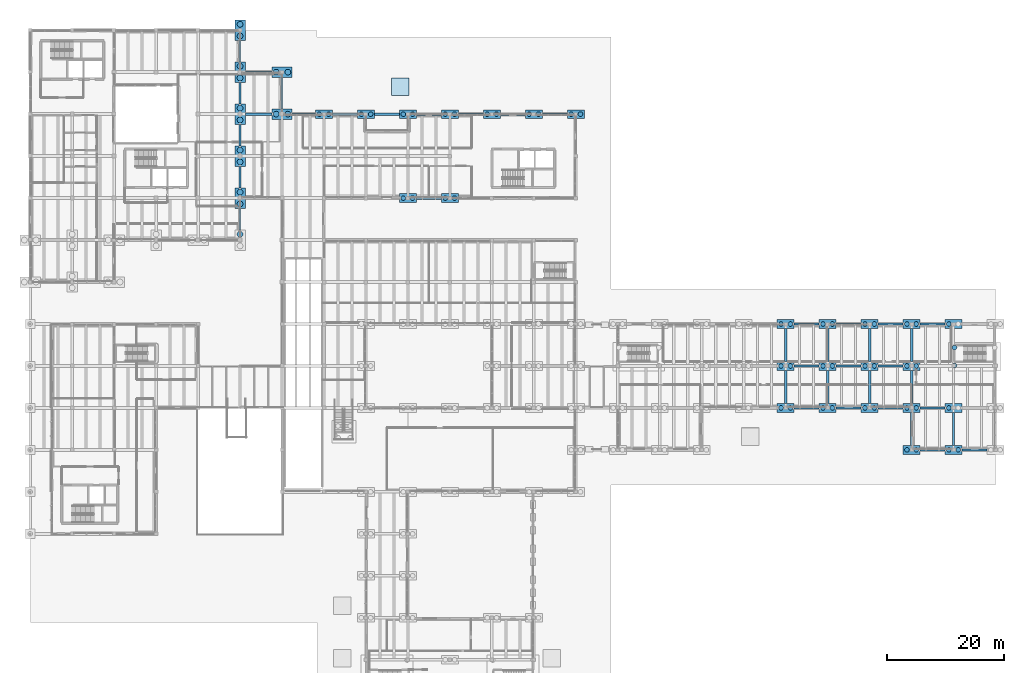
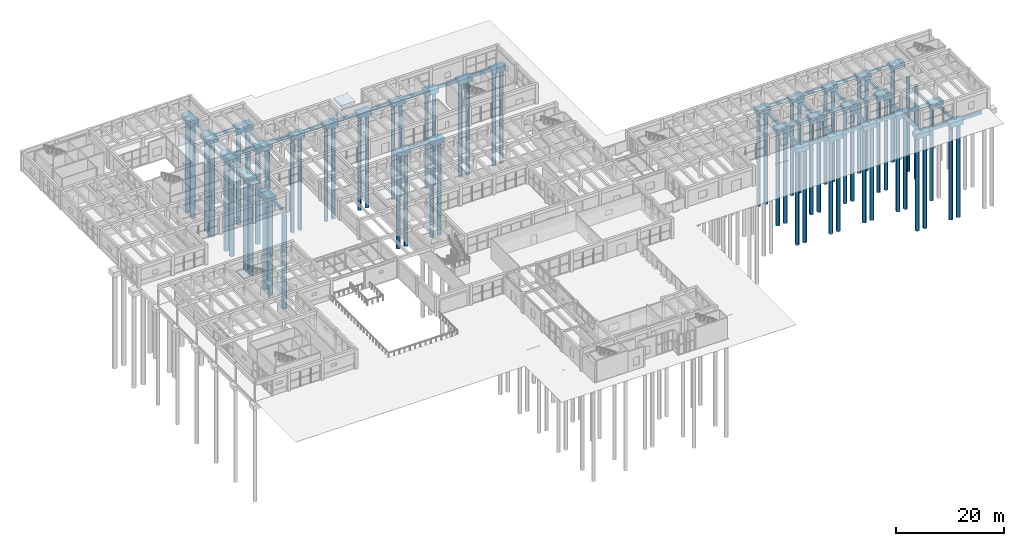
# One storey, part 3 of 155: 72 footings, 65 piles.
"""IFC4 building model written with IfcOpenShell, lengths in metres."""

from ifc_helpers import new_model, si_unit, direction, frame, origin, origin_2d, place, context, subcontext, project, spatial, rectangle, circle, extrude, material, material_profile, profile_set, type_object, element, save


model = new_model("IFC4")

# Units and contexts
model_context = context("Model", 3, precision=1e-05, world=origin(), true_north=direction((0.0, 1.0)))
body_context = subcontext(model_context, "Body", "Model", "MODEL_VIEW")
ifc_project = project(units=[si_unit("LENGTHUNIT", "METRE"), si_unit("AREAUNIT", "SQUARE_METRE"), si_unit("VOLUMEUNIT", "CUBIC_METRE"), si_unit("PLANEANGLEUNIT", "RADIAN"), si_unit("MASSUNIT", "GRAM", prefix="KILO")], contexts=[model_context])

# Site, building, storey
site_placement = place(None, origin())
site = spatial("IfcSite", under=ifc_project, at=site_placement, CompositionType="ELEMENT")
building_placement = place(site_placement, origin())
building = spatial("IfcBuilding", under=site, at=building_placement, Name="Bramvelor Terrace Health Centre", CompositionType="ELEMENT")
storey_placement = place(building_placement, origin())
storey = spatial("IfcBuildingStorey", under=building, at=storey_placement, Name="L01", CompositionType="ELEMENT", Elevation=0.0)

# Footings
ifc_material_1 = material(Name="Concrete C40/50", Category="concrete")
ifc_material_profile_1 = material_profile(ifc_material_1, rectangle(XDim=0.39990234375, YDim=0.699951171875, at=origin_2d()), Name="RC 400x700")
ifc_profile_set_1 = profile_set([ifc_material_profile_1], Name="Concrete C40/50")
footing_type_1 = type_object("IfcFootingType", Name="FTG-FB-400x700", PredefinedType="FOOTING_BEAM", material=ifc_profile_set_1)
footing_1_placement = place(storey_placement, frame((36.0, 80.949951171875, -0.60009765625), z_axis=(0.0, 1.0, 0.0), x_axis=(-1.0, 0.0, 0.0)))
element("IfcFooting", 1, at=footing_1_placement, inside=storey, type_object=footing_type_1, Name="L01 Ground Tie Beam Y (36.0, 79.2)", PredefinedType="FOOTING_BEAM", context=body_context, shape_type="SweptSolid", body=[
    extrude(rectangle(XDim=0.39990234375, YDim=0.699951171875, at=origin_2d()), origin(), (0.0, 0.0, 1.0), 3.699951171875),
])
footing_2_placement = place(storey_placement, frame((36.0, 88.14990234375, -0.60009765625), z_axis=(0.0, 1.0, 0.0), x_axis=(-1.0, 0.0, 0.0)))
element("IfcFooting", 2, at=footing_2_placement, inside=storey, type_object=footing_type_1, Name="L01 Ground Tie Beam Y (36.0, 86.4)", PredefinedType="FOOTING_BEAM", context=body_context, shape_type="SweptSolid", body=[
    extrude(rectangle(XDim=0.39990234375, YDim=0.699951171875, at=origin_2d()), origin(), (0.0, 0.0, 1.0), 3.7001953125),
])
footing_3_placement = place(storey_placement, frame((36.0, 95.35009765625, -0.60009765625), z_axis=(0.0, 1.0, 0.0), x_axis=(-1.0, 0.0, 0.0)))
element("IfcFooting", 3, at=footing_3_placement, inside=storey, type_object=footing_type_1, Name="L01 Ground Tie Beam Y (36.0, 93.6)", PredefinedType="FOOTING_BEAM", context=body_context, shape_type="SweptSolid", body=[
    extrude(rectangle(XDim=0.39990234375, YDim=0.699951171875, at=origin_2d()), origin(), (0.0, 0.0, 1.0), 3.699951171875),
])
footing_4_placement = place(storey_placement, frame((36.89990234375, 100.800048828125, -0.60009765625), z_axis=(1.0, 0.0, 0.0), x_axis=(0.0, 1.0, 0.0)))
element("IfcFooting", 4, at=footing_4_placement, inside=storey, type_object=footing_type_1, Name="L01 Ground Tie Beam X (36.0, 100.8)", PredefinedType="FOOTING_BEAM", context=body_context, shape_type="SweptSolid", body=[
    extrude(rectangle(XDim=0.39990234375, YDim=0.699951171875, at=origin_2d()), origin(), (0.0, 0.0, 1.0), 4.550048828125),
])
footing_5_placement = place(storey_placement, frame((36.0, 102.550048828125, -0.60009765625), z_axis=(0.0, 1.0, 0.0), x_axis=(-1.0, 0.0, 0.0)))
element("IfcFooting", 5, at=footing_5_placement, inside=storey, type_object=footing_type_1, Name="L01 Ground Tie Beam Y (36.0, 100.8)", PredefinedType="FOOTING_BEAM", context=body_context, shape_type="SweptSolid", body=[
    extrude(rectangle(XDim=0.39990234375, YDim=0.699951171875, at=origin_2d()), origin(), (0.0, 0.0, 1.0), 3.699951171875),
])
footing_6_placement = place(storey_placement, frame((36.89990234375, 108.0, -0.60009765625), z_axis=(1.0, 0.0, 0.0), x_axis=(0.0, 1.0, 0.0)))
element("IfcFooting", 6, at=footing_6_placement, inside=storey, type_object=footing_type_1, Name="L01 Ground Tie Beam X (36.0, 108.0)", PredefinedType="FOOTING_BEAM", context=body_context, shape_type="SweptSolid", body=[
    extrude(rectangle(XDim=0.39990234375, YDim=0.699951171875, at=origin_2d()), origin(), (0.0, 0.0, 1.0), 4.550048828125),
])
footing_7_placement = place(storey_placement, frame((36.0, 109.75, -0.60009765625), z_axis=(0.0, 1.0, 0.0), x_axis=(-1.0, 0.0, 0.0)))
element("IfcFooting", 7, at=footing_7_placement, inside=storey, type_object=footing_type_1, Name="L01 Ground Tie Beam Y (36.0, 108.0)", PredefinedType="FOOTING_BEAM", context=body_context, shape_type="SweptSolid", body=[
    extrude(rectangle(XDim=0.39990234375, YDim=0.699951171875, at=origin_2d()), origin(), (0.0, 0.0, 1.0), 3.699951171875),
])
footing_8_placement = place(storey_placement, frame((44.949951171875, 100.800048828125, -0.60009765625), z_axis=(1.0, 0.0, 0.0), x_axis=(0.0, 1.0, 0.0)))
element("IfcFooting", 8, at=footing_8_placement, inside=storey, type_object=footing_type_1, Name="L01 Ground Tie Beam X (43.2, 100.8)", PredefinedType="FOOTING_BEAM", context=body_context, shape_type="SweptSolid", body=[
    extrude(rectangle(XDim=0.39990234375, YDim=0.699951171875, at=origin_2d()), origin(), (0.0, 0.0, 1.0), 4.0),
])
footing_9_placement = place(storey_placement, frame((43.199951171875, 101.699951171875, -0.60009765625), z_axis=(0.0, 1.0, 0.0), x_axis=(-1.0, 0.0, 0.0)))
element("IfcFooting", 9, at=footing_9_placement, inside=storey, type_object=footing_type_1, Name="L01 Ground Tie Beam Y (43.2, 100.8)", PredefinedType="FOOTING_BEAM", context=body_context, shape_type="SweptSolid", body=[
    extrude(rectangle(XDim=0.39990234375, YDim=0.699951171875, at=origin_2d()), origin(), (0.0, 0.0, 1.0), 5.400146484375),
])
footing_10_placement = place(storey_placement, frame((51.85009765625, 100.800048828125, -0.60009765625), z_axis=(1.0, 0.0, 0.0), x_axis=(0.0, 1.0, 0.0)))
element("IfcFooting", 10, at=footing_10_placement, inside=storey, type_object=footing_type_1, Name="L01 Ground Tie Beam X (50.4, 100.8)", PredefinedType="FOOTING_BEAM", context=body_context, shape_type="SweptSolid", body=[
    extrude(rectangle(XDim=0.39990234375, YDim=0.699951171875, at=origin_2d()), origin(), (0.0, 0.0, 1.0), 4.2998046875),
])
for number, where, z_axis, x_axis, name in (
    (11, (59.050048828125, 100.800048828125, -0.60009765625), (1.0, 0.0, 0.0), (0.0, 1.0, 0.0), "L01 Ground Tie Beam X (57.6, 100.8)"),
    (12, (66.25, 86.39990234375, -0.60009765625), (1.0, 0.0, 0.0), (0.0, 1.0, 0.0), "L01 Ground Tie Beam X (64.8, 86.4)"),
    (13, (66.25, 100.800048828125, -0.60009765625), (1.0, 0.0, 0.0), (0.0, 1.0, 0.0), "L01 Ground Tie Beam X (64.8, 100.8)"),
    (14, (73.449951171875, 100.800048828125, -0.60009765625), (1.0, 0.0, 0.0), (0.0, 1.0, 0.0), "L01 Ground Tie Beam X (72.0, 100.8)"),
    (15, (80.64990234375, 100.800048828125, -0.60009765625), (1.0, 0.0, 0.0), (0.0, 1.0, 0.0), "L01 Ground Tie Beam X (79.2, 100.8)"),
):
    element("IfcFooting", number, at=place(storey_placement, frame(where, z_axis=z_axis, x_axis=x_axis)), inside=storey, type_object=footing_type_1, Name=name, PredefinedType="FOOTING_BEAM", context=body_context, shape_type="SweptSolid", body=[
        extrude(rectangle(XDim=0.39990234375, YDim=0.699951171875, at=origin_2d()), origin(), (0.0, 0.0, 1.0), 4.300048828125),
    ])
footing_11_placement = place(storey_placement, frame((87.85009765625, 100.800048828125, -0.60009765625), z_axis=(1.0, 0.0, 0.0), x_axis=(0.0, 1.0, 0.0)))
element("IfcFooting", 16, at=footing_11_placement, inside=storey, type_object=footing_type_1, Name="L01 Ground Tie Beam X (86.4, 100.8)", PredefinedType="FOOTING_BEAM", context=body_context, shape_type="SweptSolid", body=[
    extrude(rectangle(XDim=0.39990234375, YDim=0.699951171875, at=origin_2d()), origin(), (0.0, 0.0, 1.0), 4.2998046875),
])
footing_12_placement = place(storey_placement, frame((131.050048828125, 50.39990234375, -0.60009765625), z_axis=(1.0, 0.0, 0.0), x_axis=(0.0, 1.0, 0.0)))
element("IfcFooting", 17, at=footing_12_placement, inside=storey, type_object=footing_type_1, Name="L01 Ground Tie Beam X (129.6, 50.4)", PredefinedType="FOOTING_BEAM", context=body_context, shape_type="SweptSolid", body=[
    extrude(rectangle(XDim=0.39990234375, YDim=0.699951171875, at=origin_2d()), origin(), (0.0, 0.0, 1.0), 4.300048828125),
])
footing_13_placement = place(storey_placement, frame((129.60009765625, 51.14990234375, -0.60009765625), z_axis=(0.0, 1.0, 0.0), x_axis=(-1.0, 0.0, 0.0)))
element("IfcFooting", 18, at=footing_13_placement, inside=storey, type_object=footing_type_1, Name="L01 Ground Tie Beam Y (129.6, 50.4)", PredefinedType="FOOTING_BEAM", context=body_context, shape_type="SweptSolid", body=[
    extrude(rectangle(XDim=0.39990234375, YDim=0.699951171875, at=origin_2d()), origin(), (0.0, 0.0, 1.0), 5.7001953125),
])
footing_14_placement = place(storey_placement, frame((131.050048828125, 57.60009765625, -0.60009765625), z_axis=(1.0, 0.0, 0.0), x_axis=(0.0, 1.0, 0.0)))
element("IfcFooting", 19, at=footing_14_placement, inside=storey, type_object=footing_type_1, Name="L01 Ground Tie Beam X (129.6, 57.6)", PredefinedType="FOOTING_BEAM", context=body_context, shape_type="SweptSolid", body=[
    extrude(rectangle(XDim=0.39990234375, YDim=0.699951171875, at=origin_2d()), origin(), (0.0, 0.0, 1.0), 4.300048828125),
])
footing_15_placement = place(storey_placement, frame((129.60009765625, 58.35009765625, -0.60009765625), z_axis=(0.0, 1.0, 0.0), x_axis=(-1.0, 0.0, 0.0)))
element("IfcFooting", 20, at=footing_15_placement, inside=storey, type_object=footing_type_1, Name="L01 Ground Tie Beam Y (129.6, 57.6)", PredefinedType="FOOTING_BEAM", context=body_context, shape_type="SweptSolid", body=[
    extrude(rectangle(XDim=0.39990234375, YDim=0.699951171875, at=origin_2d()), origin(), (0.0, 0.0, 1.0), 5.699951171875),
])
for number, where, z_axis, x_axis, name in (
    (21, (131.050048828125, 64.800048828125, -0.60009765625), (1.0, 0.0, 0.0), (0.0, 1.0, 0.0), "L01 Ground Tie Beam X (129.6, 64.8)"),
    (22, (138.25, 50.39990234375, -0.60009765625), (1.0, 0.0, 0.0), (0.0, 1.0, 0.0), "L01 Ground Tie Beam X (136.8, 50.4)"),
):
    element("IfcFooting", number, at=place(storey_placement, frame(where, z_axis=z_axis, x_axis=x_axis)), inside=storey, type_object=footing_type_1, Name=name, PredefinedType="FOOTING_BEAM", context=body_context, shape_type="SweptSolid", body=[
        extrude(rectangle(XDim=0.39990234375, YDim=0.699951171875, at=origin_2d()), origin(), (0.0, 0.0, 1.0), 4.300048828125),
    ])
footing_16_placement = place(storey_placement, frame((136.800048828125, 51.14990234375, -0.60009765625), z_axis=(0.0, 1.0, 0.0), x_axis=(-1.0, 0.0, 0.0)))
element("IfcFooting", 23, at=footing_16_placement, inside=storey, type_object=footing_type_1, Name="L01 Ground Tie Beam Y (136.8, 50.4)", PredefinedType="FOOTING_BEAM", context=body_context, shape_type="SweptSolid", body=[
    extrude(rectangle(XDim=0.39990234375, YDim=0.699951171875, at=origin_2d()), origin(), (0.0, 0.0, 1.0), 5.7001953125),
])
footing_17_placement = place(storey_placement, frame((138.25, 57.60009765625, -0.60009765625), z_axis=(1.0, 0.0, 0.0), x_axis=(0.0, 1.0, 0.0)))
element("IfcFooting", 24, at=footing_17_placement, inside=storey, type_object=footing_type_1, Name="L01 Ground Tie Beam X (136.8, 57.6)", PredefinedType="FOOTING_BEAM", context=body_context, shape_type="SweptSolid", body=[
    extrude(rectangle(XDim=0.39990234375, YDim=0.699951171875, at=origin_2d()), origin(), (0.0, 0.0, 1.0), 4.300048828125),
])
footing_18_placement = place(storey_placement, frame((136.800048828125, 58.35009765625, -0.60009765625), z_axis=(0.0, 1.0, 0.0), x_axis=(-1.0, 0.0, 0.0)))
element("IfcFooting", 25, at=footing_18_placement, inside=storey, type_object=footing_type_1, Name="L01 Ground Tie Beam Y (136.8, 57.6)", PredefinedType="FOOTING_BEAM", context=body_context, shape_type="SweptSolid", body=[
    extrude(rectangle(XDim=0.39990234375, YDim=0.699951171875, at=origin_2d()), origin(), (0.0, 0.0, 1.0), 5.699951171875),
])
for number, where, z_axis, x_axis, name in (
    (26, (138.25, 64.800048828125, -0.60009765625), (1.0, 0.0, 0.0), (0.0, 1.0, 0.0), "L01 Ground Tie Beam X (136.8, 64.8)"),
    (27, (145.449951171875, 50.39990234375, -0.60009765625), (1.0, 0.0, 0.0), (0.0, 1.0, 0.0), "L01 Ground Tie Beam X (144.0, 50.4)"),
):
    element("IfcFooting", number, at=place(storey_placement, frame(where, z_axis=z_axis, x_axis=x_axis)), inside=storey, type_object=footing_type_1, Name=name, PredefinedType="FOOTING_BEAM", context=body_context, shape_type="SweptSolid", body=[
        extrude(rectangle(XDim=0.39990234375, YDim=0.699951171875, at=origin_2d()), origin(), (0.0, 0.0, 1.0), 4.300048828125),
    ])
footing_19_placement = place(storey_placement, frame((144.0, 51.14990234375, -0.60009765625), z_axis=(0.0, 1.0, 0.0), x_axis=(-1.0, 0.0, 0.0)))
element("IfcFooting", 28, at=footing_19_placement, inside=storey, type_object=footing_type_1, Name="L01 Ground Tie Beam Y (144.0, 50.4)", PredefinedType="FOOTING_BEAM", context=body_context, shape_type="SweptSolid", body=[
    extrude(rectangle(XDim=0.39990234375, YDim=0.699951171875, at=origin_2d()), origin(), (0.0, 0.0, 1.0), 5.7001953125),
])
footing_20_placement = place(storey_placement, frame((145.449951171875, 57.60009765625, -0.60009765625), z_axis=(1.0, 0.0, 0.0), x_axis=(0.0, 1.0, 0.0)))
element("IfcFooting", 29, at=footing_20_placement, inside=storey, type_object=footing_type_1, Name="L01 Ground Tie Beam X (144.0, 57.6)", PredefinedType="FOOTING_BEAM", context=body_context, shape_type="SweptSolid", body=[
    extrude(rectangle(XDim=0.39990234375, YDim=0.699951171875, at=origin_2d()), origin(), (0.0, 0.0, 1.0), 4.300048828125),
])
footing_21_placement = place(storey_placement, frame((144.0, 58.35009765625, -0.60009765625), z_axis=(0.0, 1.0, 0.0), x_axis=(-1.0, 0.0, 0.0)))
element("IfcFooting", 30, at=footing_21_placement, inside=storey, type_object=footing_type_1, Name="L01 Ground Tie Beam Y (144.0, 57.6)", PredefinedType="FOOTING_BEAM", context=body_context, shape_type="SweptSolid", body=[
    extrude(rectangle(XDim=0.39990234375, YDim=0.699951171875, at=origin_2d()), origin(), (0.0, 0.0, 1.0), 5.699951171875),
])
for number, where, z_axis, x_axis, name in (
    (31, (145.449951171875, 64.800048828125, -0.60009765625), (1.0, 0.0, 0.0), (0.0, 1.0, 0.0), "L01 Ground Tie Beam X (144.0, 64.8)"),
    (32, (152.64990234375, 43.199951171875, -0.60009765625), (1.0, 0.0, 0.0), (0.0, 1.0, 0.0), "L01 Ground Tie Beam X (151.2, 43.2)"),
):
    element("IfcFooting", number, at=place(storey_placement, frame(where, z_axis=z_axis, x_axis=x_axis)), inside=storey, type_object=footing_type_1, Name=name, PredefinedType="FOOTING_BEAM", context=body_context, shape_type="SweptSolid", body=[
        extrude(rectangle(XDim=0.39990234375, YDim=0.699951171875, at=origin_2d()), origin(), (0.0, 0.0, 1.0), 4.300048828125),
    ])
footing_22_placement = place(storey_placement, frame((151.199951171875, 43.949951171875, -0.60009765625), z_axis=(0.0, 1.0, 0.0), x_axis=(-1.0, 0.0, 0.0)))
element("IfcFooting", 33, at=footing_22_placement, inside=storey, type_object=footing_type_1, Name="L01 Ground Tie Beam Y (151.2, 43.2)", PredefinedType="FOOTING_BEAM", context=body_context, shape_type="SweptSolid", body=[
    extrude(rectangle(XDim=0.39990234375, YDim=0.699951171875, at=origin_2d()), origin(), (0.0, 0.0, 1.0), 5.699951171875),
])
footing_23_placement = place(storey_placement, frame((152.64990234375, 50.39990234375, -0.60009765625), z_axis=(1.0, 0.0, 0.0), x_axis=(0.0, 1.0, 0.0)))
element("IfcFooting", 34, at=footing_23_placement, inside=storey, type_object=footing_type_1, Name="L01 Ground Tie Beam X (151.2, 50.4)", PredefinedType="FOOTING_BEAM", context=body_context, shape_type="SweptSolid", body=[
    extrude(rectangle(XDim=0.39990234375, YDim=0.699951171875, at=origin_2d()), origin(), (0.0, 0.0, 1.0), 4.300048828125),
])
footing_24_placement = place(storey_placement, frame((151.199951171875, 51.14990234375, -0.60009765625), z_axis=(0.0, 1.0, 0.0), x_axis=(-1.0, 0.0, 0.0)))
element("IfcFooting", 35, at=footing_24_placement, inside=storey, type_object=footing_type_1, Name="L01 Ground Tie Beam Y (151.2, 50.4)", PredefinedType="FOOTING_BEAM", context=body_context, shape_type="SweptSolid", body=[
    extrude(rectangle(XDim=0.39990234375, YDim=0.699951171875, at=origin_2d()), origin(), (0.0, 0.0, 1.0), 5.7001953125),
])
footing_25_placement = place(storey_placement, frame((151.199951171875, 58.35009765625, -0.60009765625), z_axis=(0.0, 1.0, 0.0), x_axis=(-1.0, 0.0, 0.0)))
element("IfcFooting", 36, at=footing_25_placement, inside=storey, type_object=footing_type_1, Name="L01 Ground Tie Beam Y (151.2, 57.6)", PredefinedType="FOOTING_BEAM", context=body_context, shape_type="SweptSolid", body=[
    extrude(rectangle(XDim=0.39990234375, YDim=0.699951171875, at=origin_2d()), origin(), (0.0, 0.0, 1.0), 5.699951171875),
])
footing_26_placement = place(storey_placement, frame((152.64990234375, 64.800048828125, -0.60009765625), z_axis=(1.0, 0.0, 0.0), x_axis=(0.0, 1.0, 0.0)))
element("IfcFooting", 37, at=footing_26_placement, inside=storey, type_object=footing_type_1, Name="L01 Ground Tie Beam X (151.2, 64.8)", PredefinedType="FOOTING_BEAM", context=body_context, shape_type="SweptSolid", body=[
    extrude(rectangle(XDim=0.39990234375, YDim=0.699951171875, at=origin_2d()), origin(), (0.0, 0.0, 1.0), 4.300048828125),
])
footing_27_placement = place(storey_placement, frame((159.85009765625, 43.199951171875, -0.60009765625), z_axis=(1.0, 0.0, 0.0), x_axis=(0.0, 1.0, 0.0)))
element("IfcFooting", 38, at=footing_27_placement, inside=storey, type_object=footing_type_1, Name="L01 Ground Tie Beam X (158.4, 43.2)", PredefinedType="FOOTING_BEAM", context=body_context, shape_type="SweptSolid", body=[
    extrude(rectangle(XDim=0.39990234375, YDim=0.699951171875, at=origin_2d()), origin(), (0.0, 0.0, 1.0), 4.2998046875),
])
footing_28_placement = place(storey_placement, frame((158.39990234375, 43.949951171875, -0.60009765625), z_axis=(0.0, 1.0, 0.0), x_axis=(-1.0, 0.0, 0.0)))
element("IfcFooting", 39, at=footing_28_placement, inside=storey, type_object=footing_type_1, Name="L01 Ground Tie Beam Y (158.4, 43.2)", PredefinedType="FOOTING_BEAM", context=body_context, shape_type="SweptSolid", body=[
    extrude(rectangle(XDim=0.39990234375, YDim=0.699951171875, at=origin_2d()), origin(), (0.0, 0.0, 1.0), 5.699951171875),
])
ifc_material_2 = material(Name="Concrete C40/50", Category="concrete")
footing_type_2 = type_object("IfcFootingType", Name="FTG-PAD-RMP", PredefinedType="PAD_FOOTING", material=ifc_material_2)
footing_29_placement = place(storey_placement, frame((63.5, 105.5, -0.77490234375), z_axis=(0.0, 0.0, 1.0), x_axis=(1.0, 0.0, 0.0)))
element("IfcFooting", 40, at=footing_29_placement, inside=storey, type_object=footing_type_2, Name="Accessible Ramp PR5 Pad Foundation", PredefinedType="PAD_FOOTING", context=body_context, shape_type="SweptSolid", body=[
    extrude(rectangle(XDim=3.0, YDim=3.0, at=origin_2d()), origin(), (0.0, 0.0, 1.0), 0.550048828125),
])
ifc_material_3 = material(Name="Concrete C40/50", Category="concrete")
footing_type_3 = type_object("IfcFootingType", Name="FTG-PC-2PX-1000", PredefinedType="PILE_CAP", material=ifc_material_3)
for number, where, z_axis, x_axis, name in (
    (41, (43.199951171875, 100.800048828125, -1.4501953125), (0.0, 0.0, 1.0), (1.0, 0.0, 0.0), "L01 Pile Cap (43.2, 100.8)"),
    (42, (43.199951171875, 108.0, -1.4501953125), (0.0, 0.0, 1.0), (1.0, 0.0, 0.0), "L01 Pile Cap (43.2, 108.0)"),
):
    element("IfcFooting", number, at=place(storey_placement, frame(where, z_axis=z_axis, x_axis=x_axis)), inside=storey, type_object=footing_type_3, Name=name, PredefinedType="PILE_CAP", context=body_context, shape_type="SweptSolid", body=[
        extrude(rectangle(XDim=3.5, YDim=1.800048828125, at=origin_2d()), origin(), (0.0, 0.0, 1.0), 1.199951171875),
    ])
ifc_material_4 = material(Name="Concrete C40/50", Category="concrete")
footing_type_4 = type_object("IfcFootingType", Name="FTG-PC-2PX-800", PredefinedType="PILE_CAP", material=ifc_material_4)
for number, where, z_axis, x_axis, name in (
    (43, (50.39990234375, 100.800048828125, -1.35009765625), (0.0, 0.0, 1.0), (1.0, 0.0, 0.0), "L01 Pile Cap (50.4, 100.8)"),
    (44, (57.60009765625, 100.800048828125, -1.35009765625), (0.0, 0.0, 1.0), (1.0, 0.0, 0.0), "L01 Pile Cap (57.6, 100.8)"),
    (45, (64.800048828125, 86.39990234375, -1.35009765625), (0.0, 0.0, 1.0), (1.0, 0.0, 0.0), "L01 Pile Cap (64.8, 86.4)"),
    (46, (64.800048828125, 100.800048828125, -1.35009765625), (0.0, 0.0, 1.0), (1.0, 0.0, 0.0), "L01 Pile Cap (64.8, 100.8)"),
    (47, (72.0, 86.39990234375, -1.35009765625), (0.0, 0.0, 1.0), (1.0, 0.0, 0.0), "L01 Pile Cap (72.0, 86.4)"),
    (48, (72.0, 100.800048828125, -1.35009765625), (0.0, 0.0, 1.0), (1.0, 0.0, 0.0), "L01 Pile Cap (72.0, 100.8)"),
    (49, (79.199951171875, 100.800048828125, -1.35009765625), (0.0, 0.0, 1.0), (1.0, 0.0, 0.0), "L01 Pile Cap (79.2, 100.8)"),
    (50, (86.39990234375, 100.800048828125, -1.35009765625), (0.0, 0.0, 1.0), (1.0, 0.0, 0.0), "L01 Pile Cap (86.4, 100.8)"),
    (51, (93.60009765625, 100.800048828125, -1.35009765625), (0.0, 0.0, 1.0), (1.0, 0.0, 0.0), "L01 Pile Cap (93.6, 100.8)"),
    (52, (129.60009765625, 50.39990234375, -1.35009765625), (0.0, 0.0, 1.0), (1.0, 0.0, 0.0), "L01 Pile Cap (129.6, 50.4)"),
    (53, (129.60009765625, 57.60009765625, -1.35009765625), (0.0, 0.0, 1.0), (1.0, 0.0, 0.0), "L01 Pile Cap (129.6, 57.6)"),
    (54, (129.60009765625, 64.800048828125, -1.35009765625), (0.0, 0.0, 1.0), (1.0, 0.0, 0.0), "L01 Pile Cap (129.6, 64.8)"),
    (55, (136.800048828125, 50.39990234375, -1.35009765625), (0.0, 0.0, 1.0), (1.0, 0.0, 0.0), "L01 Pile Cap (136.8, 50.4)"),
    (56, (136.800048828125, 57.60009765625, -1.35009765625), (0.0, 0.0, 1.0), (1.0, 0.0, 0.0), "L01 Pile Cap (136.8, 57.6)"),
    (57, (136.800048828125, 64.800048828125, -1.35009765625), (0.0, 0.0, 1.0), (1.0, 0.0, 0.0), "L01 Pile Cap (136.8, 64.8)"),
    (58, (144.0, 50.39990234375, -1.35009765625), (0.0, 0.0, 1.0), (1.0, 0.0, 0.0), "L01 Pile Cap (144.0, 50.4)"),
    (59, (144.0, 57.60009765625, -1.35009765625), (0.0, 0.0, 1.0), (1.0, 0.0, 0.0), "L01 Pile Cap (144.0, 57.6)"),
    (60, (144.0, 64.800048828125, -1.35009765625), (0.0, 0.0, 1.0), (1.0, 0.0, 0.0), "L01 Pile Cap (144.0, 64.8)"),
    (61, (151.199951171875, 43.199951171875, -1.35009765625), (0.0, 0.0, 1.0), (1.0, 0.0, 0.0), "L01 Pile Cap (151.2, 43.2)"),
    (62, (151.199951171875, 50.39990234375, -1.35009765625), (0.0, 0.0, 1.0), (1.0, 0.0, 0.0), "L01 Pile Cap (151.2, 50.4)"),
    (63, (151.199951171875, 57.60009765625, -1.35009765625), (0.0, 0.0, 1.0), (1.0, 0.0, 0.0), "L01 Pile Cap (151.2, 57.6)"),
    (64, (151.199951171875, 64.800048828125, -1.35009765625), (0.0, 0.0, 1.0), (1.0, 0.0, 0.0), "L01 Pile Cap (151.2, 64.8)"),
    (65, (158.39990234375, 43.199951171875, -1.35009765625), (0.0, 0.0, 1.0), (1.0, 0.0, 0.0), "L01 Pile Cap (158.4, 43.2)"),
    (66, (158.39990234375, 50.39990234375, -1.35009765625), (0.0, 0.0, 1.0), (1.0, 0.0, 0.0), "L01 Pile Cap (158.4, 50.4)"),
    (67, (158.39990234375, 64.800048828125, -1.35009765625), (0.0, 0.0, 1.0), (1.0, 0.0, 0.0), "L01 Pile Cap (158.4, 64.8)"),
):
    element("IfcFooting", number, at=place(storey_placement, frame(where, z_axis=z_axis, x_axis=x_axis)), inside=storey, type_object=footing_type_4, Name=name, PredefinedType="PILE_CAP", context=body_context, shape_type="SweptSolid", body=[
        extrude(rectangle(XDim=2.89990234375, YDim=1.5, at=origin_2d()), origin(), (0.0, 0.0, 1.0), 1.10009765625),
    ])
ifc_material_5 = material(Name="Concrete C40/50", Category="concrete")
footing_type_5 = type_object("IfcFootingType", Name="FTG-PC-2PY-1000", PredefinedType="PILE_CAP", material=ifc_material_5)
for number, where, z_axis, x_axis, name in (
    (68, (36.0, 86.39990234375, -1.4501953125), (0.0, 0.0, 1.0), (1.0, 0.0, 0.0), "L01 Pile Cap (36.0, 86.4)"),
    (69, (36.0, 93.60009765625, -1.4501953125), (0.0, 0.0, 1.0), (1.0, 0.0, 0.0), "L01 Pile Cap (36.0, 93.6)"),
    (70, (36.0, 100.800048828125, -1.4501953125), (0.0, 0.0, 1.0), (1.0, 0.0, 0.0), "L01 Pile Cap (36.0, 100.8)"),
    (71, (36.0, 108.0, -1.4501953125), (0.0, 0.0, 1.0), (1.0, 0.0, 0.0), "L01 Pile Cap (36.0, 108.0)"),
    (72, (36.0, 115.199951171875, -1.4501953125), (0.0, 0.0, 1.0), (1.0, 0.0, 0.0), "L01 Pile Cap (36.0, 115.2)"),
):
    element("IfcFooting", number, at=place(storey_placement, frame(where, z_axis=z_axis, x_axis=x_axis)), inside=storey, type_object=footing_type_5, Name=name, PredefinedType="PILE_CAP", context=body_context, shape_type="SweptSolid", body=[
        extrude(rectangle(XDim=1.800048828125, YDim=3.5, at=origin_2d()), origin(), (0.0, 0.0, 1.0), 1.199951171875),
    ])

# Piles
ifc_material_6 = material(Name="Concrete C40/50", Category="concrete")
ifc_material_profile_2 = material_profile(ifc_material_6, circle(Radius=0.5, at=origin_2d()), Name="BP D1000")
ifc_profile_set_2 = profile_set([ifc_material_profile_2], Name="Concrete C40/50")
pile_type_1 = type_object("IfcPileType", Name="PILE-BP-1000", PredefinedType="BORED", material=ifc_profile_set_2)
for number, where, z_axis, x_axis, name in (
    (73, (36.0, 80.199951171875, -1.330078125), (0.0, 0.0, -1.0), (1.0, 0.0, 0.0), "L01 Bored Pile (36.0, 80.2)"),
    (74, (36.0, 85.39990234375, -1.330078125), (0.0, 0.0, -1.0), (1.0, 0.0, 0.0), "L01 Bored Pile (36.0, 85.4)"),
    (75, (36.0, 87.39990234375, -1.330078125), (0.0, 0.0, -1.0), (1.0, 0.0, 0.0), "L01 Bored Pile (36.0, 87.4)"),
    (76, (36.0, 92.60009765625, -1.330078125), (0.0, 0.0, -1.0), (1.0, 0.0, 0.0), "L01 Bored Pile (36.0, 92.6)"),
    (77, (36.0, 94.60009765625, -1.330078125), (0.0, 0.0, -1.0), (1.0, 0.0, 0.0), "L01 Bored Pile (36.0, 94.6)"),
    (78, (36.0, 99.800048828125, -1.330078125), (0.0, 0.0, -1.0), (1.0, 0.0, 0.0), "L01 Bored Pile (36.0, 99.8)"),
    (79, (36.0, 101.800048828125, -1.330078125), (0.0, 0.0, -1.0), (1.0, 0.0, 0.0), "L01 Bored Pile (36.0, 101.8)"),
    (80, (36.0, 107.0, -1.330078125), (0.0, 0.0, -1.0), (1.0, 0.0, 0.0), "L01 Bored Pile (36.0, 107.0)"),
    (81, (36.0, 109.0, -1.330078125), (0.0, 0.0, -1.0), (1.0, 0.0, 0.0), "L01 Bored Pile (36.0, 109.0)"),
    (82, (36.0, 114.199951171875, -1.330078125), (0.0, 0.0, -1.0), (1.0, 0.0, 0.0), "L01 Bored Pile (36.0, 114.2)"),
    (83, (36.0, 116.199951171875, -1.330078125), (0.0, 0.0, -1.0), (1.0, 0.0, 0.0), "L01 Bored Pile (36.0, 116.2)"),
    (84, (42.199951171875, 100.800048828125, -1.330078125), (0.0, 0.0, -1.0), (1.0, 0.0, 0.0), "L01 Bored Pile (42.2, 100.8)"),
    (85, (44.199951171875, 100.800048828125, -1.330078125), (0.0, 0.0, -1.0), (1.0, 0.0, 0.0), "L01 Bored Pile (44.2, 100.8)"),
    (86, (42.199951171875, 108.0, -1.330078125), (0.0, 0.0, -1.0), (1.0, 0.0, 0.0), "L01 Bored Pile (42.2, 108.0)"),
    (87, (44.199951171875, 108.0, -1.330078125), (0.0, 0.0, -1.0), (1.0, 0.0, 0.0), "L01 Bored Pile (44.2, 108.0)"),
):
    element("IfcPile", number, at=place(storey_placement, frame(where, z_axis=z_axis, x_axis=x_axis)), inside=storey, type_object=pile_type_1, Name=name, PredefinedType="BORED", context=body_context, shape_type="SweptSolid", body=[
        extrude(circle(Radius=0.5, at=origin_2d()), origin(), (0.0, 0.0, 1.0), 21.169921875),
    ])
ifc_material_7 = material(Name="Concrete C40/50", Category="concrete")
ifc_material_profile_3 = material_profile(ifc_material_7, circle(Radius=0.39990234375, at=origin_2d()), Name="BP D800")
ifc_profile_set_3 = profile_set([ifc_material_profile_3], Name="Concrete C40/50")
pile_type_2 = type_object("IfcPileType", Name="PILE-BP-800", PredefinedType="BORED", material=ifc_profile_set_3)
for number, where, z_axis, x_axis, name in (
    (88, (158.550048828125, 57.64990234375, -1.330078125), (0.0, 0.0, -1.0), (1.0, 0.0, 0.0), "ST-7 Bored Pile 1"),
    (89, (158.550048828125, 60.75, -1.330078125), (0.0, 0.0, -1.0), (1.0, 0.0, 0.0), "ST-7 Bored Pile 3"),
):
    element("IfcPile", number, at=place(storey_placement, frame(where, z_axis=z_axis, x_axis=x_axis)), inside=storey, type_object=pile_type_2, Name=name, PredefinedType="BORED", context=body_context, shape_type="SweptSolid", body=[
        extrude(circle(Radius=0.39990234375, at=origin_2d()), origin(), (0.0, 0.0, 1.0), 21.169921875),
    ])
for number, where, z_axis, x_axis, name in (
    (90, (49.60009765625, 100.800048828125, -1.22998046875), (0.0, 0.0, -1.0), (1.0, 0.0, 0.0), "L01 Bored Pile (49.6, 100.8)"),
    (91, (51.199951171875, 100.800048828125, -1.22998046875), (0.0, 0.0, -1.0), (1.0, 0.0, 0.0), "L01 Bored Pile (51.2, 100.8)"),
    (92, (56.800048828125, 100.800048828125, -1.22998046875), (0.0, 0.0, -1.0), (1.0, 0.0, 0.0), "L01 Bored Pile (56.8, 100.8)"),
    (93, (58.39990234375, 100.800048828125, -1.22998046875), (0.0, 0.0, -1.0), (1.0, 0.0, 0.0), "L01 Bored Pile (58.4, 100.8)"),
    (94, (64.0, 86.39990234375, -1.22998046875), (0.0, 0.0, -1.0), (1.0, 0.0, 0.0), "L01 Bored Pile (64.0, 86.4)"),
    (95, (65.60009765625, 86.39990234375, -1.22998046875), (0.0, 0.0, -1.0), (1.0, 0.0, 0.0), "L01 Bored Pile (65.6, 86.4)"),
    (96, (64.0, 100.800048828125, -1.22998046875), (0.0, 0.0, -1.0), (1.0, 0.0, 0.0), "L01 Bored Pile (64.0, 100.8)"),
    (97, (65.60009765625, 100.800048828125, -1.22998046875), (0.0, 0.0, -1.0), (1.0, 0.0, 0.0), "L01 Bored Pile (65.6, 100.8)"),
    (98, (71.199951171875, 86.39990234375, -1.22998046875), (0.0, 0.0, -1.0), (1.0, 0.0, 0.0), "L01 Bored Pile (71.2, 86.4)"),
    (99, (72.800048828125, 86.39990234375, -1.22998046875), (0.0, 0.0, -1.0), (1.0, 0.0, 0.0), "L01 Bored Pile (72.8, 86.4)"),
    (100, (71.199951171875, 100.800048828125, -1.22998046875), (0.0, 0.0, -1.0), (1.0, 0.0, 0.0), "L01 Bored Pile (71.2, 100.8)"),
    (101, (72.800048828125, 100.800048828125, -1.22998046875), (0.0, 0.0, -1.0), (1.0, 0.0, 0.0), "L01 Bored Pile (72.8, 100.8)"),
    (102, (78.39990234375, 100.800048828125, -1.22998046875), (0.0, 0.0, -1.0), (1.0, 0.0, 0.0), "L01 Bored Pile (78.4, 100.8)"),
    (103, (80.0, 100.800048828125, -1.22998046875), (0.0, 0.0, -1.0), (1.0, 0.0, 0.0), "L01 Bored Pile (80.0, 100.8)"),
    (104, (85.60009765625, 100.800048828125, -1.22998046875), (0.0, 0.0, -1.0), (1.0, 0.0, 0.0), "L01 Bored Pile (85.6, 100.8)"),
    (105, (87.199951171875, 100.800048828125, -1.22998046875), (0.0, 0.0, -1.0), (1.0, 0.0, 0.0), "L01 Bored Pile (87.2, 100.8)"),
    (106, (92.800048828125, 100.800048828125, -1.22998046875), (0.0, 0.0, -1.0), (1.0, 0.0, 0.0), "L01 Bored Pile (92.8, 100.8)"),
    (107, (94.39990234375, 100.800048828125, -1.22998046875), (0.0, 0.0, -1.0), (1.0, 0.0, 0.0), "L01 Bored Pile (94.4, 100.8)"),
    (108, (128.800048828125, 50.39990234375, -1.22998046875), (0.0, 0.0, -1.0), (1.0, 0.0, 0.0), "L01 Bored Pile (128.8, 50.4)"),
    (109, (130.39990234375, 50.39990234375, -1.22998046875), (0.0, 0.0, -1.0), (1.0, 0.0, 0.0), "L01 Bored Pile (130.4, 50.4)"),
    (110, (128.800048828125, 57.60009765625, -1.22998046875), (0.0, 0.0, -1.0), (1.0, 0.0, 0.0), "L01 Bored Pile (128.8, 57.6)"),
    (111, (130.39990234375, 57.60009765625, -1.22998046875), (0.0, 0.0, -1.0), (1.0, 0.0, 0.0), "L01 Bored Pile (130.4, 57.6)"),
    (112, (128.800048828125, 64.800048828125, -1.22998046875), (0.0, 0.0, -1.0), (1.0, 0.0, 0.0), "L01 Bored Pile (128.8, 64.8)"),
    (113, (130.39990234375, 64.800048828125, -1.22998046875), (0.0, 0.0, -1.0), (1.0, 0.0, 0.0), "L01 Bored Pile (130.4, 64.8)"),
    (114, (136.0, 50.39990234375, -1.22998046875), (0.0, 0.0, -1.0), (1.0, 0.0, 0.0), "L01 Bored Pile (136.0, 50.4)"),
    (115, (137.60009765625, 50.39990234375, -1.22998046875), (0.0, 0.0, -1.0), (1.0, 0.0, 0.0), "L01 Bored Pile (137.6, 50.4)"),
    (116, (136.0, 57.60009765625, -1.22998046875), (0.0, 0.0, -1.0), (1.0, 0.0, 0.0), "L01 Bored Pile (136.0, 57.6)"),
    (117, (137.60009765625, 57.60009765625, -1.22998046875), (0.0, 0.0, -1.0), (1.0, 0.0, 0.0), "L01 Bored Pile (137.6, 57.6)"),
    (118, (136.0, 64.800048828125, -1.22998046875), (0.0, 0.0, -1.0), (1.0, 0.0, 0.0), "L01 Bored Pile (136.0, 64.8)"),
    (119, (137.60009765625, 64.800048828125, -1.22998046875), (0.0, 0.0, -1.0), (1.0, 0.0, 0.0), "L01 Bored Pile (137.6, 64.8)"),
    (120, (143.199951171875, 50.39990234375, -1.22998046875), (0.0, 0.0, -1.0), (1.0, 0.0, 0.0), "L01 Bored Pile (143.2, 50.4)"),
    (121, (144.800048828125, 50.39990234375, -1.22998046875), (0.0, 0.0, -1.0), (1.0, 0.0, 0.0), "L01 Bored Pile (144.8, 50.4)"),
    (122, (143.199951171875, 57.60009765625, -1.22998046875), (0.0, 0.0, -1.0), (1.0, 0.0, 0.0), "L01 Bored Pile (143.2, 57.6)"),
    (123, (144.800048828125, 57.60009765625, -1.22998046875), (0.0, 0.0, -1.0), (1.0, 0.0, 0.0), "L01 Bored Pile (144.8, 57.6)"),
    (124, (143.199951171875, 64.800048828125, -1.22998046875), (0.0, 0.0, -1.0), (1.0, 0.0, 0.0), "L01 Bored Pile (143.2, 64.8)"),
    (125, (144.800048828125, 64.800048828125, -1.22998046875), (0.0, 0.0, -1.0), (1.0, 0.0, 0.0), "L01 Bored Pile (144.8, 64.8)"),
    (126, (150.39990234375, 43.199951171875, -1.22998046875), (0.0, 0.0, -1.0), (1.0, 0.0, 0.0), "L01 Bored Pile (150.4, 43.2)"),
    (127, (152.0, 43.199951171875, -1.22998046875), (0.0, 0.0, -1.0), (1.0, 0.0, 0.0), "L01 Bored Pile (152.0, 43.2)"),
    (128, (150.39990234375, 50.39990234375, -1.22998046875), (0.0, 0.0, -1.0), (1.0, 0.0, 0.0), "L01 Bored Pile (150.4, 50.4)"),
    (129, (152.0, 50.39990234375, -1.22998046875), (0.0, 0.0, -1.0), (1.0, 0.0, 0.0), "L01 Bored Pile (152.0, 50.4)"),
    (130, (150.39990234375, 57.60009765625, -1.22998046875), (0.0, 0.0, -1.0), (1.0, 0.0, 0.0), "L01 Bored Pile (150.4, 57.6)"),
    (131, (152.0, 57.60009765625, -1.22998046875), (0.0, 0.0, -1.0), (1.0, 0.0, 0.0), "L01 Bored Pile (152.0, 57.6)"),
    (132, (150.39990234375, 64.800048828125, -1.22998046875), (0.0, 0.0, -1.0), (1.0, 0.0, 0.0), "L01 Bored Pile (150.4, 64.8)"),
    (133, (152.0, 64.800048828125, -1.22998046875), (0.0, 0.0, -1.0), (1.0, 0.0, 0.0), "L01 Bored Pile (152.0, 64.8)"),
    (134, (157.60009765625, 43.199951171875, -1.22998046875), (0.0, 0.0, -1.0), (1.0, 0.0, 0.0), "L01 Bored Pile (157.6, 43.2)"),
    (135, (159.199951171875, 43.199951171875, -1.22998046875), (0.0, 0.0, -1.0), (1.0, 0.0, 0.0), "L01 Bored Pile (159.2, 43.2)"),
    (136, (157.60009765625, 50.39990234375, -1.22998046875), (0.0, 0.0, -1.0), (1.0, 0.0, 0.0), "L01 Bored Pile (157.6, 50.4)"),
    (137, (157.60009765625, 64.800048828125, -1.22998046875), (0.0, 0.0, -1.0), (1.0, 0.0, 0.0), "L01 Bored Pile (157.6, 64.8)"),
):
    element("IfcPile", number, at=place(storey_placement, frame(where, z_axis=z_axis, x_axis=x_axis)), inside=storey, type_object=pile_type_2, Name=name, PredefinedType="BORED", context=body_context, shape_type="SweptSolid", body=[
        extrude(circle(Radius=0.39990234375, at=origin_2d()), origin(), (0.0, 0.0, 1.0), 21.27001953125),
    ])

save(model, "model.ifc")
